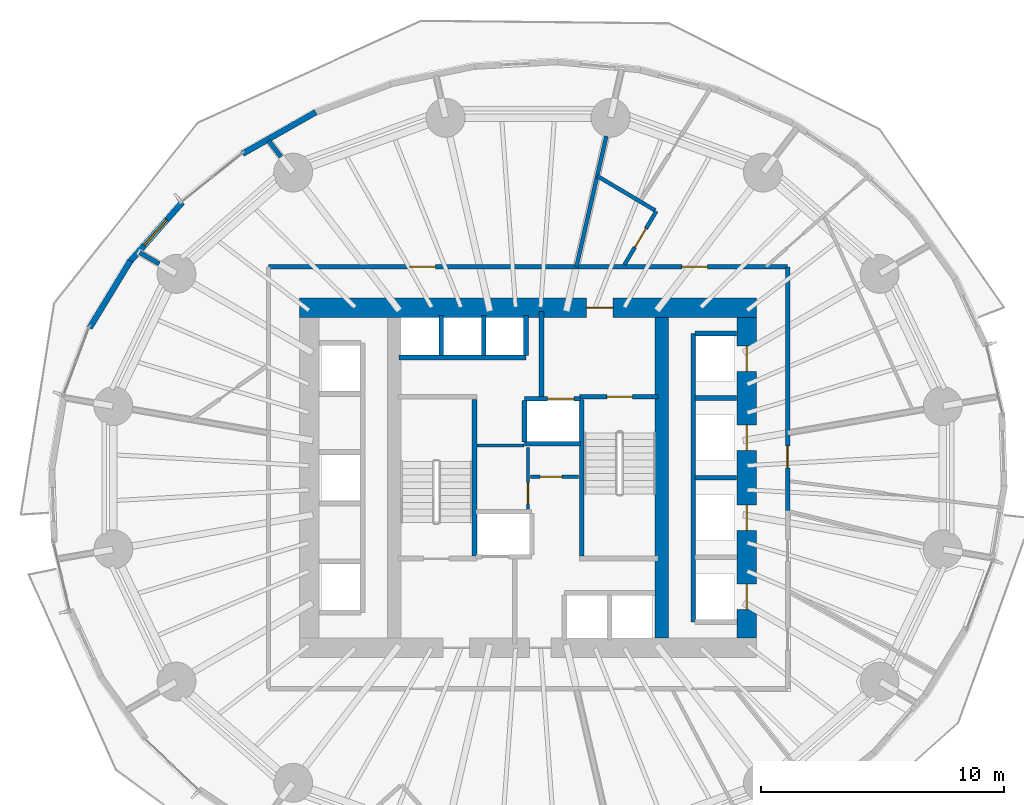
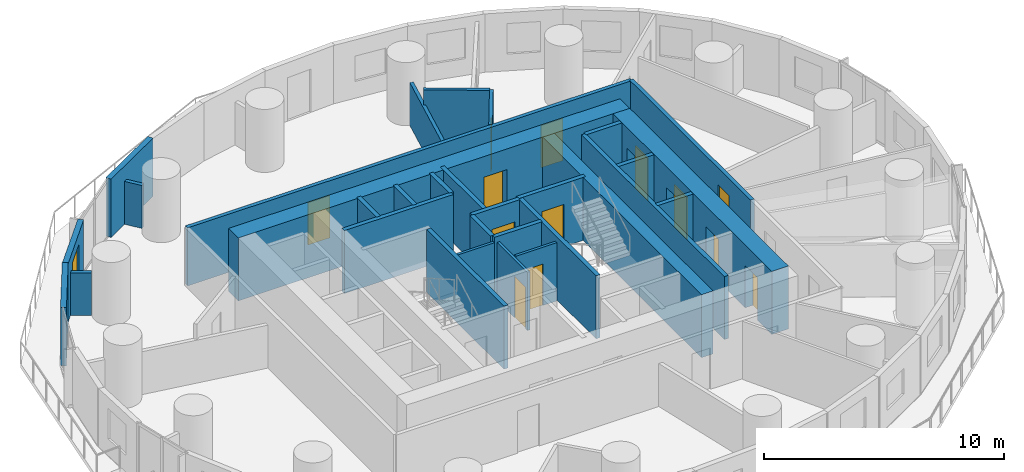
# One storey, part 8 of 14: 31 walls, 13 doors, 1 window, 14 openings.
"""IFC4 building model written with IfcOpenShell, lengths in metres."""

from ifc_helpers import new_model, si_unit, direction, frame, frame_2d, origin, place, context, subcontext, project, spatial, rectangle, extrude, material, layer, layer_set, type_object, element, fill, save


model = new_model("IFC4")

# Units and contexts
model_context = context("Model", 3, precision=1e-05, world=origin(), true_north=direction((0.0, 1.0)))
body_context = subcontext(model_context, "Body", "Model", "MODEL_VIEW")
ifc_project = project(units=[si_unit("LENGTHUNIT", "METRE"), si_unit("AREAUNIT", "SQUARE_METRE"), si_unit("VOLUMEUNIT", "CUBIC_METRE"), si_unit("PLANEANGLEUNIT", "RADIAN"), si_unit("MASSUNIT", "GRAM", prefix="KILO")], contexts=[model_context])

# Site, building, storey
site_placement = place(None, origin())
site = spatial("IfcSite", under=ifc_project, at=site_placement, CompositionType="ELEMENT")
building_placement = place(site_placement, origin())
building = spatial("IfcBuilding", under=site, at=building_placement, Name="Veldorim Arch Residences", CompositionType="ELEMENT")
storey_placement = place(building_placement, frame((0.0, 0.0, 37.60009765625)))
storey = spatial("IfcBuildingStorey", under=building, at=storey_placement, Name="L10", CompositionType="ELEMENT", Elevation=37.60009765625)

# Wall, opening, door
ifc_material_1 = material(Name="Acoustic Gypsum Board", Category="gypsum")
ifc_layer_1 = layer(ifc_material_1, 0.125, Name="Acoustic Stud Room Partition Wall 125")
ifc_layer_set_1 = layer_set([ifc_layer_1], Name="Acoustic Gypsum Board")
wall_type_1 = type_object("IfcWallType", Name="Acoustic Stud Room Partition Wall 125", PredefinedType="PARTITIONING", material=ifc_layer_set_1)
wall_1_placement = place(storey_placement, frame((32.0, 22.719970703125, 0.0), z_axis=(0.0, 0.0, 1.0), x_axis=(0.0, 1.0, 0.0)))
wall_1 = element("IfcWall", 1, at=wall_1_placement, inside=storey, type_object=wall_type_1, Name="L10 interior wall WL-CA-L10-1", PredefinedType="PARTITIONING", context=body_context, shape_type="SweptSolid", body=[
    extrude(rectangle(XDim=2.52001953125, YDim=0.125, at=frame_2d((1.260009765625, 0.0))), origin(), (0.0, 0.0, 1.0), 2.954833984375),
])
opening_1_placement = place(wall_1_placement, frame((0.179931640625, 0.0, 0.0)))
opening_1 = element("IfcOpeningElement", 2, at=opening_1_placement, cuts=wall_1, Name="Opening DR-SVC", PredefinedType="OPENING", context=body_context, shape_type="SweptSolid", body=[
    extrude(rectangle(XDim=0.89990234375, YDim=2.10009765625, at=frame_2d((0.449951171875, 1.050048828125))), frame((0.0, 0.072509765625, 0.0), z_axis=(0.0, -1.0, 0.0), x_axis=(1.0, 0.0, 0.0)), (0.0, 0.0, 1.0), 0.14501953125),
])
ifc_material_2 = material(Name="Fire-Rated Steel", Category="steel")
door_type_1 = type_object("IfcDoorType", Name="Riser, Shelter & Plant Room Rated Steel Door 900x2100", OperationType="SINGLE_SWING_LEFT", PredefinedType="DOOR", material=ifc_material_2)
door_1_placement = place(opening_1_placement, origin())
door_1 = element("IfcDoor", 3, at=door_1_placement, inside=storey, type_object=door_type_1, Name="L10 interior door DR-L10-CA2", OperationType="SINGLE_SWING_RIGHT", OverallHeight=2.10009765625, OverallWidth=0.89990234375, PredefinedType="DOOR", context=body_context, shape_type="SweptSolid", body=[
    extrude(rectangle(XDim=0.89990234375, YDim=2.10009765625, at=frame_2d((0.449951171875, 1.050048828125))), frame((0.0, 0.02490234375, 0.0), z_axis=(0.0, -1.0, 0.0), x_axis=(1.0, 0.0, 0.0)), (0.0, 0.0, 1.0), 0.050048828125),
])
fill(opening_1, door_1)

wall_2_placement = place(storey_placement, frame((32.110107421875, 24.0400390625, 0.0), z_axis=(0.0, 0.0, 1.0), x_axis=(1.0, 0.0, 0.0)))
wall_2 = element("IfcWall", 4, at=wall_2_placement, inside=storey, type_object=wall_type_1, Name="L10 interior wall WL-CA-L10-3", PredefinedType="PARTITIONING", context=body_context, shape_type="SweptSolid", body=[
    extrude(rectangle(XDim=1.969970703125, YDim=0.125, at=frame_2d((0.98486328125, 0.0))), origin(), (0.0, 0.0, 1.0), 2.954833984375),
])
opening_2_placement = place(wall_2_placement, frame((0.389892578125, 0.0, 0.0)))
opening_2 = element("IfcOpeningElement", 5, at=opening_2_placement, cuts=wall_2, Name="Opening DR-INT", PredefinedType="OPENING", context=body_context, shape_type="SweptSolid", body=[
    extrude(rectangle(XDim=0.89990234375, YDim=2.10009765625, at=frame_2d((0.449951171875, 1.050048828125))), frame((0.0, 0.072509765625, 0.0), z_axis=(0.0, -1.0, 0.0), x_axis=(1.0, 0.0, 0.0)), (0.0, 0.0, 1.0), 0.14501953125),
])
ifc_material_3 = material(Name="Engineered Timber", Category="wood")
door_type_2 = type_object("IfcDoorType", Name="Apartment Internal Room Timber Door 900x2100", OperationType="SINGLE_SWING_LEFT", PredefinedType="DOOR", material=ifc_material_3)
door_2_placement = place(opening_2_placement, origin())
door_2 = element("IfcDoor", 6, at=door_2_placement, inside=storey, type_object=door_type_2, Name="L10 interior door DR-L10-CA1", OperationType="SINGLE_SWING_LEFT", OverallHeight=2.10009765625, OverallWidth=0.89990234375, PredefinedType="DOOR", context=body_context, shape_type="SweptSolid", body=[
    extrude(rectangle(XDim=0.89990234375, YDim=2.10009765625, at=frame_2d((0.449951171875, 1.050048828125))), frame((0.0, 0.02490234375, 0.0), z_axis=(0.0, -1.0, 0.0), x_axis=(1.0, 0.0, 0.0)), (0.0, 0.0, 1.0), 0.050048828125),
])
fill(opening_2, door_2)

# Walls
wall_3_placement = place(storey_placement, frame((29.889892578125, 25.330078125, 0.0), z_axis=(0.0, 0.0, 1.0), x_axis=(1.0, 0.0, 0.0)))
element("IfcWall", 7, at=wall_3_placement, inside=storey, type_object=wall_type_1, Name="L10 interior wall WL-CA-L10-N", PredefinedType="PARTITIONING", context=body_context, shape_type="SweptSolid", body=[
    extrude(rectangle(XDim=1.940185546875, YDim=0.125, at=frame_2d((0.97021484375, 0.0))), origin(), (0.0, 0.0, 1.0), 2.954833984375),
])
ifc_material_4 = material(Name="Lightweight Masonry Block & Gypsum", Category="masonry")
ifc_layer_2 = layer(ifc_material_4, 0.179931640625, Name="Compartment & Corridor Fire-Rated Party Wall 180")
ifc_layer_set_2 = layer_set([ifc_layer_2], Name="Lightweight Masonry Block & Gypsum")
wall_type_2 = type_object("IfcWallType", Name="Compartment & Corridor Fire-Rated Party Wall 180", PredefinedType="PARTITIONING", material=ifc_layer_set_2)
wall_4_placement = place(storey_placement, frame((21.832763671875, 37.204833984375, 0.0), z_axis=(0.0, 0.0, 1.0), x_axis=(-0.609822176225, 0.792538272504, 0.0)))
element("IfcWall", 8, at=wall_4_placement, inside=storey, type_object=wall_type_2, Name="L10 interior wall WL-PIER-L10-06", PredefinedType="PARTITIONING", context=body_context, shape_type="SweptSolid", body=[
    extrude(rectangle(XDim=0.84716796875, YDim=0.179931640625, at=frame_2d((0.423583984375, 0.0))), origin(), (0.0, 0.0, 1.0), 2.17822265625),
])
wall_5_placement = place(storey_placement, frame((16.822998046875, 32.80029296875, 0.0), z_axis=(0.0, 0.0, 1.0), x_axis=(-0.864965183009, 0.501831876411, 0.0)))
element("IfcWall", 9, at=wall_5_placement, inside=storey, type_object=wall_type_2, Name="L10 interior wall WL-PIER-L10-07", PredefinedType="PARTITIONING", context=body_context, shape_type="SweptSolid", body=[
    extrude(rectangle(XDim=0.93115234375, YDim=0.179931640625, at=frame_2d((0.465576171875, 0.0))), origin(), (0.0, 0.0, 1.0), 2.17822265625),
])

# Wall, opening, door
wall_6_placement = place(storey_placement, frame((42.679931640625, 32.679931640625, 0.0), z_axis=(0.0, 0.0, 1.0), x_axis=(0.0, -1.0, 0.0)))
wall_6 = element("IfcWall", 10, at=wall_6_placement, inside=storey, type_object=wall_type_2, Name="L10 interior wall WL-RES-L10-001", PredefinedType="PARTITIONING", context=body_context, shape_type="SweptSolid", body=[
    extrude(rectangle(XDim=10.06494140625, YDim=0.179931640625, at=frame_2d((5.032470703125, 0.0))), origin(), (0.0, 0.0, 1.0), 2.954833984375),
])
opening_3_placement = place(wall_6_placement, frame((7.3740234375, 0.0, 0.0)))
opening_3 = element("IfcOpeningElement", 11, at=opening_3_placement, cuts=wall_6, Name="Opening DR-SVC", PredefinedType="OPENING", context=body_context, shape_type="SweptSolid", body=[
    extrude(rectangle(XDim=0.89990234375, YDim=2.10009765625, at=frame_2d((0.449951171875, 1.050048828125))), frame((0.0, 0.099853515625, 0.0), z_axis=(0.0, -1.0, 0.0), x_axis=(1.0, 0.0, 0.0)), (0.0, 0.0, 1.0), 0.199951171875),
])
door_3_placement = place(opening_3_placement, origin())
door_3 = element("IfcDoor", 12, at=door_3_placement, inside=storey, type_object=door_type_1, Name="L10 interior door DR-RES-L10-001", OperationType="SINGLE_SWING_LEFT", OverallHeight=2.10009765625, OverallWidth=0.89990234375, PredefinedType="DOOR", context=body_context, shape_type="SweptSolid", body=[
    extrude(rectangle(XDim=0.89990234375, YDim=2.10009765625, at=frame_2d((0.449951171875, 1.050048828125))), frame((0.0, 0.02490234375, 0.0), z_axis=(0.0, -1.0, 0.0), x_axis=(1.0, 0.0, 0.0)), (0.0, 0.0, 1.0), 0.050048828125),
])
fill(opening_3, door_3)

# Wall, openings, doors
wall_7_placement = place(storey_placement, frame((21.320068359375, 32.679931640625, 0.0), z_axis=(0.0, 0.0, 1.0), x_axis=(1.0, 0.0, 0.0)))
wall_7 = element("IfcWall", 13, at=wall_7_placement, inside=storey, type_object=wall_type_2, Name="L10 interior wall WL-RES-L10-004", PredefinedType="PARTITIONING", context=body_context, shape_type="SweptSolid", body=[
    extrude(rectangle(XDim=21.35986328125, YDim=0.179931640625, at=frame_2d((10.679931640625, 0.0))), origin(), (0.0, 0.0, 1.0), 2.954833984375),
])
opening_4_placement = place(wall_7_placement, frame((17.013427734375, 0.0, 0.0)))
opening_4 = element("IfcOpeningElement", 14, at=opening_4_placement, cuts=wall_7, Name="Opening DR-FLT", PredefinedType="OPENING", context=body_context, shape_type="SweptSolid", body=[
    extrude(rectangle(XDim=1.050048828125, YDim=2.14990234375, at=frame_2d((0.52490234375, 1.074951171875))), frame((0.0, 0.099853515625, 0.0), z_axis=(0.0, -1.0, 0.0), x_axis=(1.0, 0.0, 0.0)), (0.0, 0.0, 1.0), 0.199951171875),
])
opening_5_placement = place(wall_7_placement, frame((5.820068359375, 0.0, 0.0)))
opening_5 = element("IfcOpeningElement", 15, at=opening_5_placement, cuts=wall_7, Name="Opening DR-FLT", PredefinedType="OPENING", context=body_context, shape_type="SweptSolid", body=[
    extrude(rectangle(XDim=1.050048828125, YDim=2.14990234375, at=frame_2d((0.52490234375, 1.074951171875))), frame((0.0, 0.099853515625, 0.0), z_axis=(0.0, -1.0, 0.0), x_axis=(1.0, 0.0, 0.0)), (0.0, 0.0, 1.0), 0.199951171875),
])
ifc_material_5 = material(Name="Fire-Rated Timber", Category="wood")
door_type_3 = type_object("IfcDoorType", Name="Apartment Entrance Solid-Core Fire Door 1050x2150", OperationType="SINGLE_SWING_LEFT", PredefinedType="DOOR", material=ifc_material_5)
door_4_placement = place(opening_4_placement, origin())
door_4 = element("IfcDoor", 16, at=door_4_placement, inside=storey, type_object=door_type_3, Name="L10 interior door DR-RES-L10-007", OperationType="SINGLE_SWING_LEFT", OverallHeight=2.14990234375, OverallWidth=1.050048828125, PredefinedType="DOOR", context=body_context, shape_type="SweptSolid", body=[
    extrude(rectangle(XDim=1.050048828125, YDim=2.14990234375, at=frame_2d((0.52490234375, 1.074951171875))), frame((0.0, 0.02490234375, 0.0), z_axis=(0.0, -1.0, 0.0), x_axis=(1.0, 0.0, 0.0)), (0.0, 0.0, 1.0), 0.050048828125),
])
fill(opening_4, door_4)
door_5_placement = place(opening_5_placement, origin())
door_5 = element("IfcDoor", 17, at=door_5_placement, inside=storey, type_object=door_type_3, Name="L10 interior door DR-RES-L10-012", OperationType="SINGLE_SWING_RIGHT", OverallHeight=2.14990234375, OverallWidth=1.050048828125, PredefinedType="DOOR", context=body_context, shape_type="SweptSolid", body=[
    extrude(rectangle(XDim=1.050048828125, YDim=2.14990234375, at=frame_2d((0.52490234375, 1.074951171875))), frame((0.0, 0.02490234375, 0.0), z_axis=(0.0, -1.0, 0.0), x_axis=(1.0, 0.0, 0.0)), (0.0, 0.0, 1.0), 0.050048828125),
])
fill(opening_5, door_5)

# Walls
ifc_material_6 = material(Name="Concrete C50/60", Category="concrete")
ifc_layer_3 = layer(ifc_material_6, 0.199951171875, Name="Core Stair & Lift Shaft Enclosure Wall 200")
ifc_layer_set_3 = layer_set([ifc_layer_3], Name="Concrete C50/60")
wall_type_3 = type_object("IfcWallType", Name="Core Stair & Lift Shaft Enclosure Wall 200", PredefinedType="SHEAR", material=ifc_layer_set_3)
for number, where, z_axis, x_axis, name in (
    (18, (29.7900390625, 20.780029296875, 0.0), (0.0, 0.0, 1.0), (0.0, 1.0, 0.0), "L10 shaft wall WL-SHF-L10-ST1-E"),
    (19, (34.2099609375, 20.780029296875, 0.0), (0.0, 0.0, 1.0), (0.0, 1.0, 0.0), "L10 shaft wall WL-SHF-L10-ST2-W"),
):
    element("IfcWall", number, at=place(storey_placement, frame(where, z_axis=z_axis, x_axis=x_axis)), inside=storey, type_object=wall_type_3, Name=name, PredefinedType="SHEAR", context=body_context, shape_type="SweptSolid", body=[
        extrude(rectangle(XDim=6.43994140625, YDim=0.199951171875, at=frame_2d((3.219970703125, 0.0))), origin(), (0.0, 0.0, 1.0), 3.199951171875),
    ])

# Wall, opening, door
wall_8_placement = place(storey_placement, frame((34.110107421875, 27.330078125, 0.0), z_axis=(0.0, 0.0, 1.0), x_axis=(1.0, 0.0, 0.0)))
wall_8 = element("IfcWall", 20, at=wall_8_placement, inside=storey, type_object=wall_type_3, Name="L10 shaft wall WL-SHF-L10-ST2-N", PredefinedType="SHEAR", context=body_context, shape_type="SweptSolid", body=[
    extrude(rectangle(XDim=3.239990234375, YDim=0.199951171875, at=frame_2d((1.6201171875, 0.0))), origin(), (0.0, 0.0, 1.0), 3.199951171875),
])
opening_6_placement = place(wall_8_placement, frame((1.135009765625, 0.0, 0.0)))
opening_6 = element("IfcOpeningElement", 21, at=opening_6_placement, cuts=wall_8, Name="Opening DR-ST", PredefinedType="OPENING", context=body_context, shape_type="SweptSolid", body=[
    extrude(rectangle(XDim=1.050048828125, YDim=2.14990234375, at=frame_2d((0.52490234375, 1.074951171875))), frame((0.0, 0.10986328125, 0.0), z_axis=(0.0, -1.0, 0.0), x_axis=(1.0, 0.0, 0.0)), (0.0, 0.0, 1.0), 0.219970703125),
])
ifc_material_7 = material(Name="Fire-Rated Steel", Category="steel")
door_type_4 = type_object("IfcDoorType", Name="Exit Staircase Self-Closing Fire Door 1050x2150", OperationType="SINGLE_SWING_LEFT", PredefinedType="DOOR", material=ifc_material_7)
door_6_placement = place(opening_6_placement, origin())
door_6 = element("IfcDoor", 22, at=door_6_placement, inside=storey, type_object=door_type_4, Name="L10 interior door DR-L10-ST2", OperationType="SINGLE_SWING_RIGHT", OverallHeight=2.14990234375, OverallWidth=1.050048828125, PredefinedType="DOOR", context=body_context, shape_type="SweptSolid", body=[
    extrude(rectangle(XDim=1.050048828125, YDim=2.14990234375, at=frame_2d((0.52490234375, 1.074951171875))), frame((0.0, 0.02490234375, 0.0), z_axis=(0.0, -1.0, 0.0), x_axis=(1.0, 0.0, 0.0)), (0.0, 0.0, 1.0), 0.050048828125),
])
fill(opening_6, door_6)

# Wall
wall_9_placement = place(storey_placement, frame((32.550048828125, 27.35009765625, 0.0), z_axis=(0.0, 0.0, 1.0), x_axis=(0.0, 1.0, 0.0)))
element("IfcWall", 23, at=wall_9_placement, inside=storey, type_object=wall_type_3, Name="L10 shaft wall WL-FFL2-L10-W", PredefinedType="SHEAR", context=body_context, shape_type="SweptSolid", body=[
    extrude(rectangle(XDim=3.5, YDim=0.199951171875, at=frame_2d((1.75, 0.0))), origin(), (0.0, 0.0, 1.0), 3.199951171875),
])

# Wall, opening, door
wall_10_placement = place(storey_placement, frame((31.85009765625, 27.25, 0.0), z_axis=(0.0, 0.0, 1.0), x_axis=(1.0, 0.0, 0.0)))
wall_10 = element("IfcWall", 24, at=wall_10_placement, inside=storey, type_object=wall_type_3, Name="L10 shaft wall WL-FL02-L10-N", PredefinedType="SHEAR", context=body_context, shape_type="SweptSolid", body=[
    extrude(rectangle(XDim=2.2998046875, YDim=0.199951171875, at=frame_2d((1.14990234375, 0.0))), origin(), (0.0, 0.0, 1.0), 3.199951171875),
])
opening_7_placement = place(wall_10_placement, frame((0.949951171875, 0.0, 0.0)))
opening_7 = element("IfcOpeningElement", 25, at=opening_7_placement, cuts=wall_10, Name="Opening LD-FF", PredefinedType="OPENING", context=body_context, shape_type="SweptSolid", body=[
    extrude(rectangle(XDim=1.10009765625, YDim=2.14990234375, at=frame_2d((0.550048828125, 1.074951171875))), frame((0.0, 0.10986328125, 0.0), z_axis=(0.0, -1.0, 0.0), x_axis=(1.0, 0.0, 0.0)), (0.0, 0.0, 1.0), 0.219970703125),
])
ifc_material_8 = material(Name="Stainless Steel", Category="steel")
door_type_5 = type_object("IfcDoorType", Name="Firefighting Lift Bi-Parting Sliding Landing Door 1100x2150", OperationType="DOUBLE_DOOR_SLIDING", PredefinedType="DOOR", material=ifc_material_8)
door_7_placement = place(opening_7_placement, origin())
door_7 = element("IfcDoor", 26, at=door_7_placement, inside=storey, type_object=door_type_5, Name="L10 lift landing door LD-L10-FL02", OperationType="DOUBLE_DOOR_SLIDING", OverallHeight=2.14990234375, OverallWidth=1.10009765625, PredefinedType="DOOR", context=body_context, shape_type="SweptSolid", body=[
    extrude(rectangle(XDim=1.10009765625, YDim=2.14990234375, at=frame_2d((0.550048828125, 1.074951171875))), frame((0.0, 0.02490234375, 0.0), z_axis=(0.0, -1.0, 0.0), x_axis=(1.0, 0.0, 0.0)), (0.0, 0.0, 1.0), 0.050048828125),
])
fill(opening_7, door_7)

# Walls
wall_11_placement = place(storey_placement, frame((31.85009765625, 25.39990234375, 0.0), z_axis=(0.0, 0.0, 1.0), x_axis=(1.0, 0.0, 0.0)))
element("IfcWall", 27, at=wall_11_placement, inside=storey, type_object=wall_type_3, Name="L10 shaft wall WL-FL02-L10-S", PredefinedType="SHEAR", context=body_context, shape_type="SweptSolid", body=[
    extrude(rectangle(XDim=2.2998046875, YDim=0.199951171875, at=frame_2d((1.14990234375, 0.0))), origin(), (0.0, 0.0, 1.0), 3.199951171875),
])
wall_12_placement = place(storey_placement, frame((31.85009765625, 25.469970703125, 0.0), z_axis=(0.0, 0.0, 1.0), x_axis=(0.0, 1.0, 0.0)))
element("IfcWall", 28, at=wall_12_placement, inside=storey, type_object=wall_type_3, Name="L10 shaft wall WL-FL02-L10-W", PredefinedType="SHEAR", context=body_context, shape_type="SweptSolid", body=[
    extrude(rectangle(XDim=1.7099609375, YDim=0.199951171875, at=frame_2d((0.85498046875, 0.0))), origin(), (0.0, 0.0, 1.0), 3.199951171875),
])
wall_13_placement = place(storey_placement, frame((38.800048828125, 18.06005859375, 0.0), z_axis=(0.0, 0.0, 1.0), x_axis=(0.0, 1.0, 0.0)))
element("IfcWall", 29, at=wall_13_placement, inside=storey, type_object=wall_type_3, Name="L10 shaft wall WL-B1-L10-W", PredefinedType="SHEAR", context=body_context, shape_type="SweptSolid", body=[
    extrude(rectangle(XDim=11.8798828125, YDim=0.199951171875, at=frame_2d((5.93994140625, 0.0))), origin(), (0.0, 0.0, 1.0), 3.199951171875),
])
for number, where, z_axis, x_axis, name in (
    (30, (38.8701171875, 29.93994140625, 0.0), (0.0, 0.0, 1.0), (1.0, 0.0, 0.0), "L10 shaft wall WL-B1-L10-N"),
    (31, (38.8701171875, 24.0, 0.0), (0.0, 0.0, 1.0), (1.0, 0.0, 0.0), "L10 shaft wall WL-B1-L10-D2"),
    (32, (38.8701171875, 27.27490234375, 0.0), (0.0, 0.0, 1.0), (1.0, 0.0, 0.0), "L10 shaft wall WL-B1-L10-D3"),
):
    element("IfcWall", number, at=place(storey_placement, frame(where, z_axis=z_axis, x_axis=x_axis)), inside=storey, type_object=wall_type_3, Name=name, PredefinedType="SHEAR", context=body_context, shape_type="SweptSolid", body=[
        extrude(rectangle(XDim=1.7099609375, YDim=0.199951171875, at=frame_2d((0.85498046875, 0.0))), origin(), (0.0, 0.0, 1.0), 3.199951171875),
    ])
wall_14_placement = place(storey_placement, frame((26.679931640625, 28.949951171875, 0.0), z_axis=(0.0, 0.0, 1.0), x_axis=(1.0, 0.0, 0.0)))
element("IfcWall", 33, at=wall_14_placement, inside=storey, type_object=wall_type_3, Name="L10 shaft wall WL-B3-L10-S", PredefinedType="SHEAR", context=body_context, shape_type="SweptSolid", body=[
    extrude(rectangle(XDim=5.239990234375, YDim=0.199951171875, at=frame_2d((2.6201171875, 0.0))), origin(), (0.0, 0.0, 1.0), 3.199951171875),
])
for number, where, z_axis, x_axis, name in (
    (34, (31.919921875, 29.02001953125, 0.0), (0.0, 0.0, 1.0), (0.0, 1.0, 0.0), "L10 shaft wall WL-B3-L10-E"),
    (35, (28.425048828125, 29.02001953125, 0.0), (0.0, 0.0, 1.0), (0.0, 1.0, 0.0), "L10 shaft wall WL-B3-L10-D1"),
    (36, (30.175048828125, 29.02001953125, 0.0), (0.0, 0.0, 1.0), (0.0, 1.0, 0.0), "L10 shaft wall WL-B3-L10-D2"),
):
    element("IfcWall", number, at=place(storey_placement, frame(where, z_axis=z_axis, x_axis=x_axis)), inside=storey, type_object=wall_type_3, Name=name, PredefinedType="SHEAR", context=body_context, shape_type="SweptSolid", body=[
        extrude(rectangle(XDim=1.659912109375, YDim=0.199951171875, at=frame_2d((0.830078125, 0.0))), origin(), (0.0, 0.0, 1.0), 3.199951171875),
    ])
ifc_material_9 = material(Name="Concrete C60/75", Category="concrete")
ifc_layer_4 = layer(ifc_material_9, 0.56005859375, Name="Internal Core Shear Web Wall 560")
ifc_layer_set_4 = layer_set([ifc_layer_4], Name="Concrete C60/75")
wall_type_4 = type_object("IfcWallType", Name="Internal Core Shear Web Wall 560", PredefinedType="SHEAR", material=ifc_layer_set_4)
wall_15_placement = place(storey_placement, frame((37.5, 17.39990234375, 0.0), z_axis=(0.0, 0.0, 1.0), x_axis=(0.0, 1.0, 0.0)))
element("IfcWall", 37, at=wall_15_placement, inside=storey, type_object=wall_type_4, Name="L10 core east internal shear web", PredefinedType="SHEAR", context=body_context, shape_type="SweptSolid", body=[
    extrude(rectangle(XDim=13.2001953125, YDim=0.56005859375, at=frame_2d((6.60009765625, 0.0))), origin(), (0.0, 0.0, 1.0), 3.199951171875),
])

# Wall, opening, door
ifc_material_10 = material(Name="Concrete C60/75", Category="concrete")
ifc_layer_5 = layer(ifc_material_10, 0.800048828125, Name="Lower Central Core Shear Wall 800")
ifc_layer_set_5 = layer_set([ifc_layer_5], Name="Concrete C60/75")
wall_type_5 = type_object("IfcWallType", Name="Lower Central Core Shear Wall 800", PredefinedType="SHEAR", material=ifc_layer_set_5)
wall_16_placement = place(storey_placement, frame((22.60009765625, 31.0, 0.0), z_axis=(0.0, 0.0, 1.0), x_axis=(1.0, 0.0, 0.0)))
wall_16 = element("IfcWall", 38, at=wall_16_placement, inside=storey, type_object=wall_type_5, Name="L10 central core north shear wall", PredefinedType="SHEAR", context=body_context, shape_type="SweptSolid", body=[
    extrude(rectangle(XDim=18.7998046875, YDim=0.800048828125, at=frame_2d((9.39990234375, 0.0))), origin(), (0.0, 0.0, 1.0), 3.199951171875),
])
opening_8_placement = place(wall_16_placement, frame((11.800048828125, 0.0, 0.0)))
opening_8 = element("IfcOpeningElement", 39, at=opening_8_placement, cuts=wall_16, Name="Opening DR-FFL", PredefinedType="OPENING", context=body_context, shape_type="SweptSolid", body=[
    extrude(rectangle(XDim=1.10009765625, YDim=2.14990234375, at=frame_2d((0.550048828125, 1.074951171875))), frame((0.0, 0.409912109375, 0.0), z_axis=(0.0, -1.0, 0.0), x_axis=(1.0, 0.0, 0.0)), (0.0, 0.0, 1.0), 0.820068359375),
])
ifc_material_11 = material(Name="Fire-Rated Steel & Vision Glass", Category="steel")
door_type_6 = type_object("IfcDoorType", Name="Firefighting Lobby Smoke-Stop Fire Door 1100x2150", OperationType="SINGLE_SWING_LEFT", PredefinedType="DOOR", material=ifc_material_11)
door_8_placement = place(opening_8_placement, origin())
door_8 = element("IfcDoor", 40, at=door_8_placement, inside=storey, type_object=door_type_6, Name="L10 interior door DR-L10-FFL2", OperationType="SINGLE_SWING_LEFT", OverallHeight=2.14990234375, OverallWidth=1.10009765625, PredefinedType="DOOR", context=body_context, shape_type="SweptSolid", body=[
    extrude(rectangle(XDim=1.10009765625, YDim=2.14990234375, at=frame_2d((0.550048828125, 1.074951171875))), frame((0.0, 0.02490234375, 0.0), z_axis=(0.0, -1.0, 0.0), x_axis=(1.0, 0.0, 0.0)), (0.0, 0.0, 1.0), 0.050048828125),
])
fill(opening_8, door_8)

# Wall, openings, doors
wall_17_placement = place(storey_placement, frame((41.0, 17.39990234375, 0.0), z_axis=(0.0, 0.0, 1.0), x_axis=(0.0, 1.0, 0.0)))
wall_17 = element("IfcWall", 41, at=wall_17_placement, inside=storey, type_object=wall_type_5, Name="L10 central core east shear wall", PredefinedType="SHEAR", context=body_context, shape_type="SweptSolid", body=[
    extrude(rectangle(XDim=13.2001953125, YDim=0.800048828125, at=frame_2d((6.60009765625, 0.0))), origin(), (0.0, 0.0, 1.0), 3.199951171875),
])
opening_9_placement = place(wall_17_placement, frame((1.175048828125, 0.0, 0.0)))
opening_9 = element("IfcOpeningElement", 42, at=opening_9_placement, cuts=wall_17, Name="Opening LD-PS", PredefinedType="OPENING", context=body_context, shape_type="SweptSolid", body=[
    extrude(rectangle(XDim=1.050048828125, YDim=2.14990234375, at=frame_2d((0.52490234375, 1.074951171875))), frame((0.0, 0.409912109375, 0.0), z_axis=(0.0, -1.0, 0.0), x_axis=(1.0, 0.0, 0.0)), (0.0, 0.0, 1.0), 0.820068359375),
])
opening_10_placement = place(wall_17_placement, frame((4.425048828125, 0.0, 0.0)))
opening_10 = element("IfcOpeningElement", 43, at=opening_10_placement, cuts=wall_17, Name="Opening LD-PS", PredefinedType="OPENING", context=body_context, shape_type="SweptSolid", body=[
    extrude(rectangle(XDim=1.050048828125, YDim=2.14990234375, at=frame_2d((0.52490234375, 1.074951171875))), frame((0.0, 0.409912109375, 0.0), z_axis=(0.0, -1.0, 0.0), x_axis=(1.0, 0.0, 0.0)), (0.0, 0.0, 1.0), 0.820068359375),
])
opening_11_placement = place(wall_17_placement, frame((7.72509765625, 0.0, 0.0)))
opening_11 = element("IfcOpeningElement", 44, at=opening_11_placement, cuts=wall_17, Name="Opening LD-PS", PredefinedType="OPENING", context=body_context, shape_type="SweptSolid", body=[
    extrude(rectangle(XDim=1.050048828125, YDim=2.14990234375, at=frame_2d((0.52490234375, 1.074951171875))), frame((0.0, 0.409912109375, 0.0), z_axis=(0.0, -1.0, 0.0), x_axis=(1.0, 0.0, 0.0)), (0.0, 0.0, 1.0), 0.820068359375),
])
opening_12_placement = place(wall_17_placement, frame((10.97509765625, 0.0, 0.0)))
opening_12 = element("IfcOpeningElement", 45, at=opening_12_placement, cuts=wall_17, Name="Opening LD-PS", PredefinedType="OPENING", context=body_context, shape_type="SweptSolid", body=[
    extrude(rectangle(XDim=1.050048828125, YDim=2.14990234375, at=frame_2d((0.52490234375, 1.074951171875))), frame((0.0, 0.409912109375, 0.0), z_axis=(0.0, -1.0, 0.0), x_axis=(1.0, 0.0, 0.0)), (0.0, 0.0, 1.0), 0.820068359375),
])
ifc_material_12 = material(Name="Stainless Steel", Category="steel")
door_type_7 = type_object("IfcDoorType", Name="Passenger Lift Bi-Parting Sliding Landing Door 1050x2150", OperationType="DOUBLE_DOOR_SLIDING", PredefinedType="DOOR", material=ifc_material_12)
door_9_placement = place(opening_9_placement, origin())
door_9 = element("IfcDoor", 46, at=door_9_placement, inside=storey, type_object=door_type_7, Name="L10 lift landing door LD-L10-PL-01", OperationType="DOUBLE_DOOR_SLIDING", OverallHeight=2.14990234375, OverallWidth=1.050048828125, PredefinedType="DOOR", context=body_context, shape_type="SweptSolid", body=[
    extrude(rectangle(XDim=1.050048828125, YDim=2.14990234375, at=frame_2d((0.52490234375, 1.074951171875))), frame((0.0, 0.02490234375, 0.0), z_axis=(0.0, -1.0, 0.0), x_axis=(1.0, 0.0, 0.0)), (0.0, 0.0, 1.0), 0.050048828125),
])
fill(opening_9, door_9)
door_10_placement = place(opening_10_placement, origin())
door_10 = element("IfcDoor", 47, at=door_10_placement, inside=storey, type_object=door_type_7, Name="L10 lift landing door LD-L10-PL-02", OperationType="DOUBLE_DOOR_SLIDING", OverallHeight=2.14990234375, OverallWidth=1.050048828125, PredefinedType="DOOR", context=body_context, shape_type="SweptSolid", body=[
    extrude(rectangle(XDim=1.050048828125, YDim=2.14990234375, at=frame_2d((0.52490234375, 1.074951171875))), frame((0.0, 0.02490234375, 0.0), z_axis=(0.0, -1.0, 0.0), x_axis=(1.0, 0.0, 0.0)), (0.0, 0.0, 1.0), 0.050048828125),
])
fill(opening_10, door_10)
door_11_placement = place(opening_11_placement, origin())
door_11 = element("IfcDoor", 48, at=door_11_placement, inside=storey, type_object=door_type_7, Name="L10 lift landing door LD-L10-PL-03", OperationType="DOUBLE_DOOR_SLIDING", OverallHeight=2.14990234375, OverallWidth=1.050048828125, PredefinedType="DOOR", context=body_context, shape_type="SweptSolid", body=[
    extrude(rectangle(XDim=1.050048828125, YDim=2.14990234375, at=frame_2d((0.52490234375, 1.074951171875))), frame((0.0, 0.02490234375, 0.0), z_axis=(0.0, -1.0, 0.0), x_axis=(1.0, 0.0, 0.0)), (0.0, 0.0, 1.0), 0.050048828125),
])
fill(opening_11, door_11)
door_12_placement = place(opening_12_placement, origin())
door_12 = element("IfcDoor", 49, at=door_12_placement, inside=storey, type_object=door_type_7, Name="L10 lift landing door LD-L10-PL-04", OperationType="DOUBLE_DOOR_SLIDING", OverallHeight=2.14990234375, OverallWidth=1.050048828125, PredefinedType="DOOR", context=body_context, shape_type="SweptSolid", body=[
    extrude(rectangle(XDim=1.050048828125, YDim=2.14990234375, at=frame_2d((0.52490234375, 1.074951171875))), frame((0.0, 0.02490234375, 0.0), z_axis=(0.0, -1.0, 0.0), x_axis=(1.0, 0.0, 0.0)), (0.0, 0.0, 1.0), 0.050048828125),
])
fill(opening_12, door_12)

# Wall
ifc_material_13 = material(Name="Precast concrete C40/50", Category="concrete")
ifc_layer_6 = layer(ifc_material_13, 0.25, Name="Tower Terracotta Spandrel & Pier Wall 250")
ifc_layer_set_6 = layer_set([ifc_layer_6], Name="Precast concrete C40/50")
wall_type_6 = type_object("IfcWallType", Name="Tower Terracotta Spandrel & Pier Wall 250", PredefinedType="SOLIDWALL", material=ifc_layer_set_6)
wall_18_placement = place(storey_placement, frame((20.248779296875, 37.332763671875, 0.0), z_axis=(0.0, 0.0, 1.0), x_axis=(0.869389832426, 0.494126825091, 0.0)))
element("IfcWall", 50, at=wall_18_placement, inside=storey, type_object=wall_type_6, Name="L10 terracotta facade wall 12", PredefinedType="SOLIDWALL", context=body_context, shape_type="SweptSolid", body=[
    extrude(rectangle(XDim=3.465087890625, YDim=0.25, at=frame_2d((1.732421875, 0.0))), origin(), (0.0, 0.0, 1.0), 2.9599609375),
])

# Wall, opening, window
wall_19_placement = place(storey_placement, frame((15.573486328125, 32.847900390625, 0.0), z_axis=(0.0, 0.0, 1.0), x_axis=(0.662112398544, 0.749404544751, 0.0)))
wall_19 = element("IfcWall", 51, at=wall_19_placement, inside=storey, type_object=wall_type_6, Name="L10 terracotta facade wall 14", PredefinedType="SOLIDWALL", context=body_context, shape_type="SweptSolid", body=[
    extrude(rectangle(XDim=3.322509765625, YDim=0.25, at=frame_2d((1.6611328125, 0.0))), origin(), (0.0, 0.0, 1.0), 2.9599609375),
])
opening_13_placement = place(wall_19_placement, frame((0.9609375, 0.0, 0.85009765625)))
opening_13 = element("IfcOpeningElement", 52, at=opening_13_placement, cuts=wall_19, Name="Opening WN-02", PredefinedType="OPENING", context=body_context, shape_type="SweptSolid", body=[
    extrude(rectangle(XDim=1.39990234375, YDim=1.550048828125, at=frame_2d((0.699951171875, 0.77490234375))), frame((0.0, 0.135009765625, 0.0), z_axis=(0.0, -1.0, 0.0), x_axis=(1.0, 0.0, 0.0)), (0.0, 0.0, 1.0), 0.27001953125),
])
ifc_material_14 = material(Name="Laminated Low-E Glass", Category="glass")
window_type = type_object("IfcWindowType", Name="Residential Casement Window 1400x1550", PartitioningType="SINGLE_PANEL", PredefinedType="WINDOW", material=ifc_material_14)
window_placement = place(opening_13_placement, origin())
window = element("IfcWindow", 53, at=window_placement, inside=storey, type_object=window_type, Name="L10 solar-control facade window 14", OverallHeight=1.550048828125, OverallWidth=1.39990234375, PartitioningType="SINGLE_PANEL", PredefinedType="WINDOW", context=body_context, shape_type="SweptSolid", body=[
    extrude(rectangle(XDim=1.39990234375, YDim=1.550048828125, at=frame_2d((0.699951171875, 0.77490234375))), frame((0.0, 0.030029296875, 0.0), z_axis=(0.0, -1.0, 0.0), x_axis=(1.0, 0.0, 0.0)), (0.0, 0.0, 1.0), 0.06005859375),
])
fill(opening_13, window)

# Wall
wall_20_placement = place(storey_placement, frame((13.95361328125, 30.166015625, 0.0), z_axis=(0.0, 0.0, 1.0), x_axis=(0.519753566346, 0.854316235519, 0.0)))
element("IfcWall", 54, at=wall_20_placement, inside=storey, type_object=wall_type_6, Name="L10 terracotta facade wall 15", PredefinedType="SOLIDWALL", context=body_context, shape_type="SweptSolid", body=[
    extrude(rectangle(XDim=3.244384765625, YDim=0.25, at=frame_2d((1.6220703125, 0.0))), origin(), (0.0, 0.0, 1.0), 2.9599609375),
])

# Wall, opening, door
ifc_material_15 = material(Name="Moisture-Resistant Gypsum & Stud", Category="gypsum")
ifc_layer_7 = layer(ifc_material_15, 0.159912109375, Name="Wet-Area Moisture-Resistant Plumbing Wall 160")
ifc_layer_set_7 = layer_set([ifc_layer_7], Name="Moisture-Resistant Gypsum & Stud")
wall_type_7 = type_object("IfcWallType", Name="Wet-Area Moisture-Resistant Plumbing Wall 160", PredefinedType="PLUMBINGWALL", material=ifc_layer_set_7)
wall_21_placement = place(storey_placement, frame((35.96875, 32.76611328125, 0.0), z_axis=(0.0, 0.0, 1.0), x_axis=(0.51079395194, 0.859703168926, 0.0)))
wall_21 = element("IfcWall", 55, at=wall_21_placement, inside=storey, type_object=wall_type_7, Name="L10 interior wall WL-RES-L10-015", PredefinedType="PLUMBINGWALL", context=body_context, shape_type="SweptSolid", body=[
    extrude(rectangle(XDim=2.563720703125, YDim=0.159912109375, at=frame_2d((1.28173828125, 0.0))), origin(), (0.0, 0.0, 1.0), 2.954833984375),
])
opening_14_placement = place(wall_21_placement, frame((0.831787109375, 0.0, 0.0)))
opening_14 = element("IfcOpeningElement", 56, at=opening_14_placement, cuts=wall_21, Name="Opening DR-INT", PredefinedType="OPENING", context=body_context, shape_type="SweptSolid", body=[
    extrude(rectangle(XDim=0.89990234375, YDim=2.10009765625, at=frame_2d((0.449951171875, 1.050048828125))), frame((0.0, 0.08984375, 0.0), z_axis=(0.0, -1.0, 0.0), x_axis=(1.0, 0.0, 0.0)), (0.0, 0.0, 1.0), 0.179931640625),
])
door_13_placement = place(opening_14_placement, origin())
door_13 = element("IfcDoor", 57, at=door_13_placement, inside=storey, type_object=door_type_2, Name="L10 interior door DR-RES-L10-011", OperationType="SINGLE_SWING_LEFT", OverallHeight=2.10009765625, OverallWidth=0.89990234375, PredefinedType="DOOR", context=body_context, shape_type="SweptSolid", body=[
    extrude(rectangle(XDim=0.89990234375, YDim=2.10009765625, at=frame_2d((0.449951171875, 1.050048828125))), frame((0.0, 0.02490234375, 0.0), z_axis=(0.0, -1.0, 0.0), x_axis=(1.0, 0.0, 0.0)), (0.0, 0.0, 1.0), 0.050048828125),
])
fill(opening_14, door_13)

# Walls
wall_22_placement = place(storey_placement, frame((37.226806640625, 35.000732421875, 0.0), z_axis=(0.0, 0.0, 1.0), x_axis=(-0.859670870998, 0.510848307776, 0.0)))
element("IfcWall", 58, at=wall_22_placement, inside=storey, type_object=wall_type_7, Name="L10 interior wall WL-RES-L10-016", PredefinedType="PLUMBINGWALL", context=body_context, shape_type="SweptSolid", body=[
    extrude(rectangle(XDim=2.76953125, YDim=0.159912109375, at=frame_2d((1.384765625, 0.0))), origin(), (0.0, 0.0, 1.0), 2.954833984375),
])
wall_23_placement = place(storey_placement, frame((33.989501953125, 32.679931640625, 0.0), z_axis=(0.0, 0.0, 1.0), x_axis=(0.223435779217, 0.974718653031, 0.0)))
element("IfcWall", 59, at=wall_23_placement, inside=storey, type_object=wall_type_7, Name="L10 interior wall WL-RES-L10-017", PredefinedType="PLUMBINGWALL", context=body_context, shape_type="SweptSolid", body=[
    extrude(rectangle(XDim=5.511474609375, YDim=0.159912109375, at=frame_2d((2.755859375, 0.0))), origin(), (0.0, 0.0, 1.0), 2.17822265625),
])

save(model, "model.ifc")
